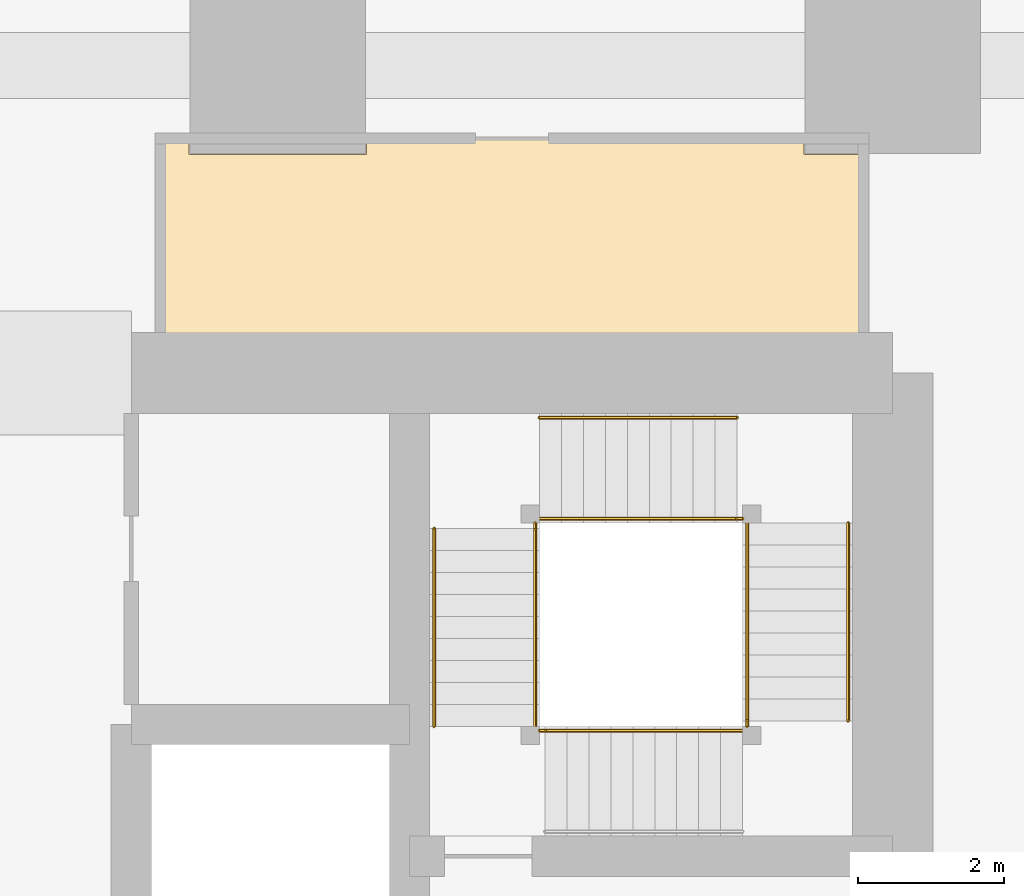
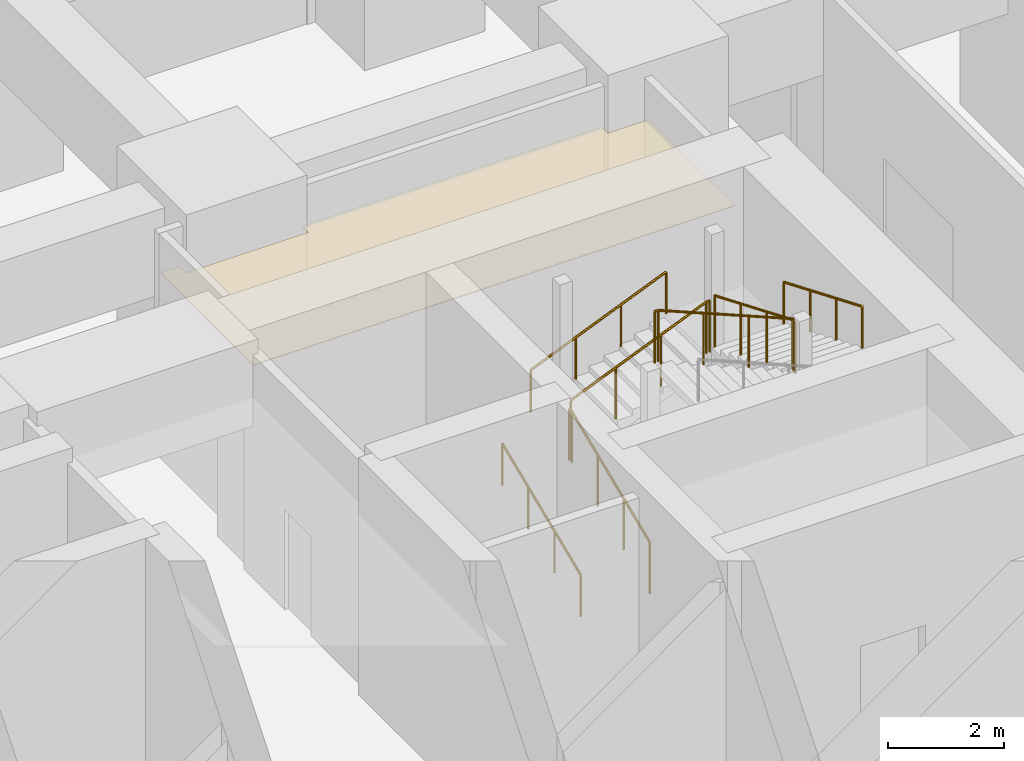
# One storey, part 48 of 49: 11 railings, 1 covering.
"""IFC4 building model written with IfcOpenShell, lengths in metres."""

from ifc_helpers import new_model, si_unit, direction, frame, origin, origin_2d, place, context, subcontext, project, spatial, polyline, circle, outline, extrude, material, layer, layer_set, type_object, element, save


model = new_model("IFC4")

# Units and contexts
model_context = context("Model", 3, precision=1e-05, world=origin(), true_north=direction((0.0, 1.0)))
body_context = subcontext(model_context, "Body", "Model", "MODEL_VIEW")
ifc_project = project(units=[si_unit("LENGTHUNIT", "METRE"), si_unit("AREAUNIT", "SQUARE_METRE"), si_unit("VOLUMEUNIT", "CUBIC_METRE"), si_unit("PLANEANGLEUNIT", "RADIAN"), si_unit("MASSUNIT", "GRAM", prefix="KILO")], contexts=[model_context])

# Site, building, storey
site_placement = place(None, origin())
site = spatial("IfcSite", under=ifc_project, at=site_placement, CompositionType="ELEMENT")
building_placement = place(site_placement, origin())
building = spatial("IfcBuilding", under=site, at=building_placement, Name="Rekha Terrace Tower", CompositionType="ELEMENT")
storey_placement = place(building_placement, frame((0.0, 0.0, 5.39990234375)))
storey = spatial("IfcBuildingStorey", under=building, at=storey_placement, Name="L01", CompositionType="ELEMENT", Elevation=5.39990234375)

# Covering
ifc_material_1 = material(Name="Fibre cement board", Category="finish")
ifc_layer = layer(ifc_material_1, 0.014892578125)
ifc_layer_set = layer_set([ifc_layer], Name="Fibre cement board")
covering_type = type_object("IfcCoveringType", Name="CL2 moisture-resistant board ceiling", PredefinedType="CEILING", material=ifc_layer_set)
covering_placement = place(storey_placement, frame((0.0, 0.0, 3.78515625)))
element("IfcCovering", 1, at=covering_placement, inside=storey, type_object=covering_type, Name="Ceiling L01-WCF", PredefinedType="CEILING", context=body_context, shape_type="SweptSolid", body=[
    extrude(outline(polyline([(40.784912109375, 49.39990234375), (40.39990234375, 49.39990234375), (40.39990234375, 46.199951171875), (50.0, 46.199951171875), (50.0, 49.18505859375), (49.18505859375, 49.18505859375), (49.18505859375, 49.39990234375), (43.215087890625, 49.39990234375), (43.215087890625, 49.18505859375), (40.784912109375, 49.18505859375), (40.784912109375, 49.39990234375)])), origin(), (0.0, 0.0, 1.0), 0.014892578125),
])

# Railings
ifc_material_2 = material(Name="Stainless steel balustrade", Category="steel")
railing_type_1 = type_object("IfcRailingType", Name="GR1 1100 stair guard", PredefinedType="GUARDRAIL", material=ifc_material_2)
railing_1_placement = place(storey_placement, frame((45.514892578125, 41.375, 0.125)))
element("IfcRailing", 2, at=railing_1_placement, inside=storey, type_object=railing_type_1, Name="Guard ST2 L01 flight 1", PredefinedType="GUARDRAIL", context=body_context, shape_type="SweptSolid", body=[
    extrude(circle(Radius=0.02392578125, at=origin_2d()), frame((0.0, 0.0, 1.076171875), z_axis=(0.0, 0.923074453586, 0.384621311341), x_axis=(-1.0, 0.0, 0.0)), (0.0, 0.0, 1.0), 2.925048828125),
    extrude(circle(Radius=0.02099609375, at=origin_2d()), origin(), (0.0, 0.0, 1.0), 1.052001953125),
    extrude(circle(Radius=0.02099609375, at=origin_2d()), frame((0.0, 0.89990234375, 0.375)), (0.0, 0.0, 1.0), 1.052001953125),
    extrude(circle(Radius=0.02099609375, at=origin_2d()), frame((0.0, 1.800048828125, 0.75)), (0.0, 0.0, 1.0), 1.052001953125),
    extrude(circle(Radius=0.02099609375, at=origin_2d()), frame((0.0, 2.699951171875, 1.125)), (0.0, 0.0, 1.0), 1.052001953125),
])
railing_2_placement = place(storey_placement, frame((45.574951171875, 44.2099609375, 1.375)))
element("IfcRailing", 3, at=railing_2_placement, inside=storey, type_object=railing_type_1, Name="Guard ST2 L01 flight 2", PredefinedType="GUARDRAIL", context=body_context, shape_type="SweptSolid", body=[
    extrude(circle(Radius=0.02392578125, at=origin_2d()), frame((0.0, 0.0, 1.076171875), z_axis=(0.923074453586, 0.0, 0.384621311341), x_axis=(0.0, 1.0, 0.0)), (0.0, 0.0, 1.0), 2.925048828125),
    extrude(circle(Radius=0.02099609375, at=origin_2d()), origin(), (0.0, 0.0, 1.0), 1.052001953125),
    extrude(circle(Radius=0.02099609375, at=origin_2d()), frame((0.89990234375, 0.0, 0.375)), (0.0, 0.0, 1.0), 1.052001953125),
    extrude(circle(Radius=0.02099609375, at=origin_2d()), frame((1.800048828125, 0.0, 0.75)), (0.0, 0.0, 1.0), 1.052001953125),
    extrude(circle(Radius=0.02099609375, at=origin_2d()), frame((2.699951171875, 0.0, 1.125)), (0.0, 0.0, 1.0), 1.052001953125),
])
railing_3_placement = place(storey_placement, frame((48.409912109375, 44.14990234375, 2.625)))
element("IfcRailing", 4, at=railing_3_placement, inside=storey, type_object=railing_type_1, Name="Guard ST2 L01 flight 3", PredefinedType="GUARDRAIL", context=body_context, shape_type="SweptSolid", body=[
    extrude(circle(Radius=0.02392578125, at=origin_2d()), frame((0.0, 0.0, 1.076171875), z_axis=(0.0, -0.923074453586, 0.384621311341), x_axis=(1.0, 0.0, 0.0)), (0.0, 0.0, 1.0), 2.925048828125),
    extrude(circle(Radius=0.02099609375, at=origin_2d()), origin(), (0.0, 0.0, 1.0), 1.052001953125),
    extrude(circle(Radius=0.02099609375, at=origin_2d()), frame((0.0, -0.89990234375, 0.375)), (0.0, 0.0, 1.0), 1.052001953125),
    extrude(circle(Radius=0.02099609375, at=origin_2d()), frame((0.0, -1.800048828125, 0.75)), (0.0, 0.0, 1.0), 1.052001953125),
    extrude(circle(Radius=0.02099609375, at=origin_2d()), frame((0.0, -2.699951171875, 1.125)), (0.0, 0.0, 1.0), 1.052001953125),
])
railing_4_placement = place(storey_placement, frame((48.35009765625, 41.31494140625, 3.875)))
element("IfcRailing", 5, at=railing_4_placement, inside=storey, type_object=railing_type_1, Name="Guard ST2 L01 flight 4", PredefinedType="GUARDRAIL", context=body_context, shape_type="SweptSolid", body=[
    extrude(circle(Radius=0.02392578125, at=origin_2d()), frame((0.0, 0.0, 1.076171875), z_axis=(-0.923086799901, 0.0, 0.38459167938), x_axis=(0.0, -1.0, 0.0)), (0.0, 0.0, 1.0), 2.92529296875),
    extrude(circle(Radius=0.02099609375, at=origin_2d()), origin(), (0.0, 0.0, 1.0), 1.052001953125),
    extrude(circle(Radius=0.02099609375, at=origin_2d()), frame((-0.900146484375, 0.0, 0.375)), (0.0, 0.0, 1.0), 1.052001953125),
    extrude(circle(Radius=0.02099609375, at=origin_2d()), frame((-1.800048828125, 0.0, 0.75)), (0.0, 0.0, 1.0), 1.052001953125),
    extrude(circle(Radius=0.02099609375, at=origin_2d()), frame((-2.7001953125, 0.0, 1.125)), (0.0, 0.0, 1.0), 1.052001953125),
])
railing_5_placement = place(storey_placement, frame((45.514892578125, 44.074951171875, 1.25)))
element("IfcRailing", 6, at=railing_5_placement, inside=storey, type_object=railing_type_1, Name="Guard ST2 L01 landing 1", PredefinedType="GUARDRAIL", context=body_context, shape_type="SweptSolid", body=[
    extrude(circle(Radius=0.02392578125, at=origin_2d()), frame((0.0, 0.0, 1.076171875), z_axis=(0.0, 1.0, 0.0), x_axis=(-1.0, 0.0, 0.0)), (0.0, 0.0, 1.0), 0.074951171875),
    extrude(circle(Radius=0.02099609375, at=origin_2d()), origin(), (0.0, 0.0, 1.0), 1.052001953125),
    extrude(circle(Radius=0.02099609375, at=origin_2d()), frame((0.0, 0.074951171875, 0.0)), (0.0, 0.0, 1.0), 1.052001953125),
])
railing_6_placement = place(storey_placement, frame((48.27490234375, 44.2099609375, 2.5)))
element("IfcRailing", 7, at=railing_6_placement, inside=storey, type_object=railing_type_1, Name="Guard ST2 L01 landing 2", PredefinedType="GUARDRAIL", context=body_context, shape_type="SweptSolid", body=[
    extrude(circle(Radius=0.02392578125, at=origin_2d()), frame((0.0, 0.0, 1.076171875), z_axis=(1.0, 0.0, 0.0), x_axis=(0.0, 1.0, 0.0)), (0.0, 0.0, 1.0), 0.0751953125),
    extrude(circle(Radius=0.02099609375, at=origin_2d()), origin(), (0.0, 0.0, 1.0), 1.052001953125),
    extrude(circle(Radius=0.02099609375, at=origin_2d()), frame((0.0751953125, 0.0, 0.0)), (0.0, 0.0, 1.0), 1.052001953125),
])
railing_7_placement = place(storey_placement, frame((48.409912109375, 41.375, 3.75)))
element("IfcRailing", 8, at=railing_7_placement, inside=storey, type_object=railing_type_1, Name="Guard ST2 L01 landing 3", PredefinedType="GUARDRAIL", context=body_context, shape_type="SweptSolid", body=[
    extrude(circle(Radius=0.02392578125, at=origin_2d()), frame((0.0, 0.0, 1.076171875), z_axis=(0.0, 1.0, 0.0), x_axis=(-1.0, 0.0, 0.0)), (0.0, 0.0, 1.0), 0.074951171875),
    extrude(circle(Radius=0.02099609375, at=origin_2d()), origin(), (0.0, 0.0, 1.0), 1.052001953125),
    extrude(circle(Radius=0.02099609375, at=origin_2d()), frame((0.0, 0.074951171875, 0.0)), (0.0, 0.0, 1.0), 1.052001953125),
])
railing_8_placement = place(storey_placement, frame((45.574951171875, 41.31494140625, 5.0)))
element("IfcRailing", 9, at=railing_8_placement, inside=storey, type_object=railing_type_1, Name="Guard ST2 L01 landing 4", PredefinedType="GUARDRAIL", context=body_context, shape_type="SweptSolid", body=[
    extrude(circle(Radius=0.02392578125, at=origin_2d()), frame((0.0, 0.0, 1.076171875), z_axis=(1.0, 0.0, 0.0), x_axis=(0.0, 1.0, 0.0)), (0.0, 0.0, 1.0), 0.074951171875),
    extrude(circle(Radius=0.02099609375, at=origin_2d()), origin(), (0.0, 0.0, 1.0), 1.052001953125),
    extrude(circle(Radius=0.02099609375, at=origin_2d()), frame((0.074951171875, 0.0, 0.0)), (0.0, 0.0, 1.0), 1.052001953125),
])
ifc_material_3 = material(Name="Stainless steel tube", Category="steel")
railing_type_2 = type_object("IfcRailingType", Name="HR1 900 stair handrail", PredefinedType="HANDRAIL", material=ifc_material_3)
railing_9_placement = place(storey_placement, frame((44.135009765625, 41.375, 0.125)))
element("IfcRailing", 10, at=railing_9_placement, inside=storey, type_object=railing_type_2, Name="Handrail ST2 L01 flight 1", PredefinedType="HANDRAIL", context=body_context, shape_type="SweptSolid", body=[
    extrude(circle(Radius=0.02392578125, at=origin_2d()), frame((0.0, 0.0, 0.8759765625), z_axis=(0.0, 0.923074453586, 0.384621311341), x_axis=(-1.0, 0.0, 0.0)), (0.0, 0.0, 1.0), 2.925048828125),
    extrude(circle(Radius=0.02099609375, at=origin_2d()), origin(), (0.0, 0.0, 1.0), 0.851806640625),
    extrude(circle(Radius=0.02099609375, at=origin_2d()), frame((0.0, 0.89990234375, 0.375)), (0.0, 0.0, 1.0), 0.851806640625),
    extrude(circle(Radius=0.02099609375, at=origin_2d()), frame((0.0, 1.800048828125, 0.75)), (0.0, 0.0, 1.0), 0.851806640625),
    extrude(circle(Radius=0.02099609375, at=origin_2d()), frame((0.0, 2.699951171875, 1.125)), (0.0, 0.0, 1.0), 0.851806640625),
])
railing_10_placement = place(storey_placement, frame((45.574951171875, 45.590087890625, 1.375)))
element("IfcRailing", 11, at=railing_10_placement, inside=storey, type_object=railing_type_2, Name="Handrail ST2 L01 flight 2", PredefinedType="HANDRAIL", context=body_context, shape_type="SweptSolid", body=[
    extrude(circle(Radius=0.02392578125, at=origin_2d()), frame((0.0, 0.0, 0.8759765625), z_axis=(0.923074453586, 0.0, 0.384621311341), x_axis=(0.0, 1.0, 0.0)), (0.0, 0.0, 1.0), 2.925048828125),
    extrude(circle(Radius=0.02099609375, at=origin_2d()), origin(), (0.0, 0.0, 1.0), 0.851806640625),
    extrude(circle(Radius=0.02099609375, at=origin_2d()), frame((0.89990234375, 0.0, 0.375)), (0.0, 0.0, 1.0), 0.851806640625),
    extrude(circle(Radius=0.02099609375, at=origin_2d()), frame((1.800048828125, 0.0, 0.75)), (0.0, 0.0, 1.0), 0.851806640625),
    extrude(circle(Radius=0.02099609375, at=origin_2d()), frame((2.699951171875, 0.0, 1.125)), (0.0, 0.0, 1.0), 0.851806640625),
])
railing_11_placement = place(storey_placement, frame((49.7900390625, 44.14990234375, 2.625)))
element("IfcRailing", 12, at=railing_11_placement, inside=storey, type_object=railing_type_2, Name="Handrail ST2 L01 flight 3", PredefinedType="HANDRAIL", context=body_context, shape_type="SweptSolid", body=[
    extrude(circle(Radius=0.02392578125, at=origin_2d()), frame((0.0, 0.0, 0.8759765625), z_axis=(0.0, -0.923074453586, 0.384621311341), x_axis=(1.0, 0.0, 0.0)), (0.0, 0.0, 1.0), 2.925048828125),
    extrude(circle(Radius=0.02099609375, at=origin_2d()), origin(), (0.0, 0.0, 1.0), 0.851806640625),
    extrude(circle(Radius=0.02099609375, at=origin_2d()), frame((0.0, -0.89990234375, 0.375)), (0.0, 0.0, 1.0), 0.851806640625),
    extrude(circle(Radius=0.02099609375, at=origin_2d()), frame((0.0, -1.800048828125, 0.75)), (0.0, 0.0, 1.0), 0.851806640625),
    extrude(circle(Radius=0.02099609375, at=origin_2d()), frame((0.0, -2.699951171875, 1.125)), (0.0, 0.0, 1.0), 0.851806640625),
])

save(model, "model.ifc")
